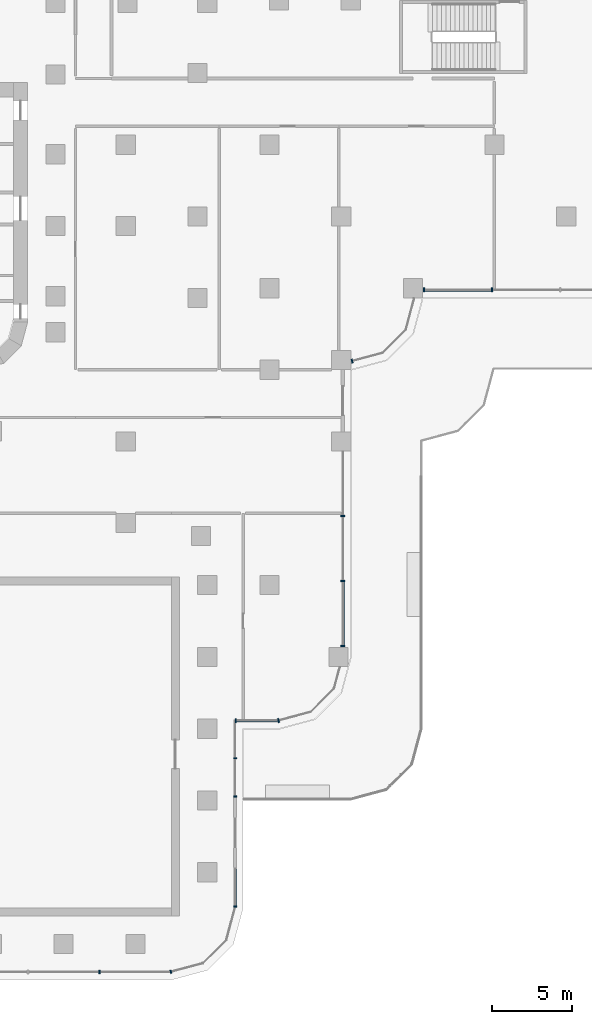
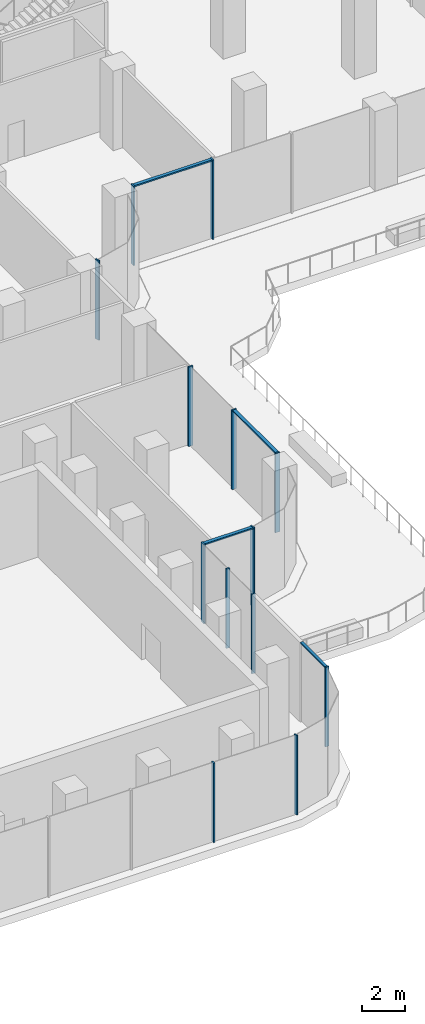
# One storey, part 4 of 30: 17 members, 8 elements without a shape of their own.
"""IFC4 building model written with IfcOpenShell, lengths in metres."""

from ifc_helpers import new_model, si_unit, direction, frame, origin, place, context, subcontext, project, spatial, polyline, outline, extrude, source, transform, mapped, material, type_object, element, aggregate, save


model = new_model("IFC4")

# Units and contexts
model_context = context("Model", 3, precision=1e-05, world=origin(), true_north=direction((0.0, 1.0)))
body_context = subcontext(model_context, "Body", "Model", "MODEL_VIEW")
ifc_project = project(units=[si_unit("LENGTHUNIT", "METRE"), si_unit("AREAUNIT", "SQUARE_METRE"), si_unit("VOLUMEUNIT", "CUBIC_METRE"), si_unit("PLANEANGLEUNIT", "RADIAN"), si_unit("MASSUNIT", "GRAM", prefix="KILO")], contexts=[model_context])

# Site, building, storey
site_placement = place(None, origin())
site = spatial("IfcSite", under=ifc_project, at=site_placement, CompositionType="ELEMENT")
building_placement = place(site_placement, origin())
building = spatial("IfcBuilding", under=site, at=building_placement, Name="Zarbagh Exchange Tower", CompositionType="ELEMENT")
storey_placement = place(building_placement, frame((0.0, 0.0, 7.0)))
storey = spatial("IfcBuildingStorey", under=building, at=storey_placement, Name="L01", CompositionType="ELEMENT", Elevation=7.0)

# Curtain wall, member
ifc_material_1 = material(Name="Anodised aluminium frame and glazing", Category="aluminium")
curtain_wall_type_1 = type_object("IfcCurtainWallType", Name="CWD Exchange hall wall glazing", PredefinedType="NOTDEFINED", material=ifc_material_1)
curtain_wall_1_placement = place(storey_placement, origin())
curtain_wall_1 = element("IfcCurtainWall", 1, at=curtain_wall_1_placement, inside=storey, type_object=curtain_wall_type_1, Name="CWD01 curtain wall", PredefinedType="NOTDEFINED")
ifc_material_2 = material(Name="Anodised aluminium frame", Category="aluminium")
member_type_1 = type_object("IfcMemberType", Name="MUD Mullion, anodised aluminium frame", PredefinedType="MULLION", material=ifc_material_2)
shared_shape_1 = source(origin(), body_context, "Body", "SweptSolid", [
    extrude(outline(polyline([(0.0, -0.10009765625), (0.080078125, -0.10009765625), (0.080078125, 0.10009765625), (0.0, 0.10009765625), (0.0, -0.10009765625)])), origin(), (0.0, 0.0, 1.0), 4.550048828125),
])
placement = place(storey_placement, origin())
member_1 = element("IfcMember", 2, at=placement, type_object=member_type_1, Name="CWD01 mullion 1.1", PredefinedType="MULLION", context=body_context, shape_type="MappedRepresentation", body=[
    mapped(shared_shape_1, transform((13.43408203125, -67.0, 0.0), x_axis=(0.965924289636, 0.258824779902, 0.0), y_axis=(-0.258824779902, 0.965924289636, 0.0), z_axis=(0.0, 0.0, 1.0))),
])
aggregate(curtain_wall_1, [member_1])

# Curtain wall, members
curtain_wall_2_placement = place(storey_placement, origin())
curtain_wall_2 = element("IfcCurtainWall", 3, at=curtain_wall_2_placement, inside=storey, type_object=curtain_wall_type_1, Name="CWD10 curtain wall", PredefinedType="NOTDEFINED")
member_2 = element("IfcMember", 4, at=placement, type_object=member_type_1, Name="CWD10 mullion 1.1", PredefinedType="MULLION", context=body_context, shape_type="MappedRepresentation", body=[
    mapped(shared_shape_1, transform((17.5, -62.93408203125, 0.0), x_axis=(0.0, 1.0, 0.0), y_axis=(-1.0, 0.0, 0.0), z_axis=(0.0, 0.0, 1.0))),
])
member_3 = element("IfcMember", 5, at=placement, type_object=member_type_1, Name="CWD10 mullion 2.1", PredefinedType="MULLION", context=body_context, shape_type="MappedRepresentation", body=[
    mapped(shared_shape_1, transform((17.5, -56.0419921875, 0.0), x_axis=(0.0, 1.0, 0.0), y_axis=(-1.0, 0.0, 0.0), z_axis=(0.0, 0.0, 1.0))),
])
member_4 = element("IfcMember", 6, at=placement, type_object=member_type_1, Name="CWD10 mullion 2.2", PredefinedType="MULLION", context=body_context, shape_type="MappedRepresentation", body=[
    mapped(shared_shape_1, transform((17.5, -53.64599609375, 0.0), x_axis=(0.0, 1.0, 0.0), y_axis=(-1.0, 0.0, 0.0), z_axis=(0.0, 0.0, 1.0))),
])

# Curtain wall, member
curtain_wall_3_placement = place(storey_placement, origin())
curtain_wall_3 = element("IfcCurtainWall", 7, at=curtain_wall_3_placement, inside=storey, type_object=curtain_wall_type_1, Name="CWD09 curtain wall", PredefinedType="NOTDEFINED")
member_5 = element("IfcMember", 8, at=placement, type_object=member_type_1, Name="CWD09 mullion 1.6", PredefinedType="MULLION", context=body_context, shape_type="MappedRepresentation", body=[
    mapped(shared_shape_1, transform((8.9560546875, -67.0, 0.0), x_axis=(1.0, 0.0, 0.0), y_axis=(0.0, 1.0, 0.0), z_axis=(0.0, 0.0, 1.0))),
])
aggregate(curtain_wall_3, [member_5])

# Member
member_type_2 = type_object("IfcMemberType", Name="TRD Transom, anodised aluminium frame", PredefinedType="USERDEFINED", material=ifc_material_2)
shared_shape_2 = source(origin(), body_context, "Body", "SweptSolid", [
    extrude(outline(polyline([(-0.080078125, -0.074951171875), (0.0, -0.074951171875), (0.0, 0.074951171875), (-0.080078125, 0.074951171875), (-0.080078125, -0.074951171875)])), origin(), (0.0, 0.0, 1.0), 2.31201171875),
])
member_6 = element("IfcMember", 9, at=placement, type_object=member_type_2, Name="CWD10 transom 1.1", ObjectType="TRANSOM", PredefinedType="USERDEFINED", context=body_context, shape_type="MappedRepresentation", body=[
    mapped(shared_shape_2, transform((17.5, -62.854248046875, 4.550048828125), x_axis=(0.0, 0.0, 1.0), y_axis=(1.0, 0.0, 0.0), z_axis=(0.0, 1.0, 0.0))),
])

aggregate(curtain_wall_2, [member_2, member_6, member_3, member_4])

# Curtain wall, member
curtain_wall_type_2 = type_object("IfcCurtainWallType", Name="CWC Podium garden-wall glazing", PredefinedType="NOTDEFINED", material=ifc_material_1)
curtain_wall_4_placement = place(storey_placement, origin())
curtain_wall_4 = element("IfcCurtainWall", 10, at=curtain_wall_4_placement, inside=storey, type_object=curtain_wall_type_2, Name="CWC50 curtain wall", PredefinedType="NOTDEFINED")
member_type_3 = type_object("IfcMemberType", Name="MUC Mullion, anodised aluminium frame", PredefinedType="MULLION", material=ifc_material_2)
shared_shape_3 = source(origin(), body_context, "Body", "SweptSolid", [
    extrude(outline(polyline([(0.0, -0.125), (0.080078125, -0.125), (0.080078125, 0.125), (0.0, 0.125), (0.0, -0.125)])), origin(), (0.0, 0.0, 1.0), 4.550048828125),
])
member_7 = element("IfcMember", 11, at=placement, type_object=member_type_3, Name="CWC50 mullion 1.1", PredefinedType="MULLION", context=body_context, shape_type="MappedRepresentation", body=[
    mapped(shared_shape_3, transform((17.5, -51.25, 0.0), x_axis=(1.0, 0.0, 0.0), y_axis=(0.0, 1.0, 0.0), z_axis=(0.0, 0.0, 1.0))),
])

curtain_wall_5_placement = place(storey_placement, origin())
curtain_wall_5 = element("IfcCurtainWall", 12, at=curtain_wall_5_placement, inside=storey, type_object=curtain_wall_type_2, Name="CWC51 curtain wall", PredefinedType="NOTDEFINED")
member_8 = element("IfcMember", 13, at=placement, type_object=member_type_3, Name="CWC51 mullion 1.1", PredefinedType="MULLION", context=body_context, shape_type="MappedRepresentation", body=[
    mapped(shared_shape_3, transform((20.18408203125, -51.25, 0.0), x_axis=(0.965924289636, 0.258824779902, 0.0), y_axis=(-0.258824779902, 0.965924289636, 0.0), z_axis=(0.0, 0.0, 1.0))),
])
aggregate(curtain_wall_5, [member_8])

# Curtain wall, members
curtain_wall_6_placement = place(storey_placement, origin())
curtain_wall_6 = element("IfcCurtainWall", 14, at=curtain_wall_6_placement, inside=storey, type_object=curtain_wall_type_2, Name="CWC54 curtain wall", PredefinedType="NOTDEFINED")
member_9 = element("IfcMember", 15, at=placement, type_object=member_type_3, Name="CWC54 mullion 1.1", PredefinedType="MULLION", context=body_context, shape_type="MappedRepresentation", body=[
    mapped(shared_shape_3, transform((24.25, -46.60986328125, 0.0), x_axis=(0.0, 1.0, 0.0), y_axis=(-1.0, 0.0, 0.0), z_axis=(0.0, 0.0, 1.0))),
])
member_10 = element("IfcMember", 16, at=placement, type_object=member_type_3, Name="CWC54 mullion 1.2", PredefinedType="MULLION", context=body_context, shape_type="MappedRepresentation", body=[
    mapped(shared_shape_3, transform((24.25, -42.53662109375, 0.0), x_axis=(0.0, 1.0, 0.0), y_axis=(-1.0, 0.0, 0.0), z_axis=(0.0, 0.0, 1.0))),
])
member_11 = element("IfcMember", 17, at=placement, type_object=member_type_3, Name="CWC54 mullion 1.3", PredefinedType="MULLION", context=body_context, shape_type="MappedRepresentation", body=[
    mapped(shared_shape_3, transform((24.25, -38.46337890625, 0.0), x_axis=(0.0, 1.0, 0.0), y_axis=(-1.0, 0.0, 0.0), z_axis=(0.0, 0.0, 1.0))),
])

# Curtain wall, member
curtain_wall_7_placement = place(storey_placement, origin())
curtain_wall_7 = element("IfcCurtainWall", 18, at=curtain_wall_7_placement, inside=storey, type_object=curtain_wall_type_2, Name="CWC55 curtain wall", PredefinedType="NOTDEFINED")
member_12 = element("IfcMember", 19, at=placement, type_object=member_type_3, Name="CWC55 mullion 1.1", PredefinedType="MULLION", context=body_context, shape_type="MappedRepresentation", body=[
    mapped(shared_shape_3, transform((24.7900390625, -28.7216796875, 0.0), x_axis=(0.965924289636, 0.258824779902, 0.0), y_axis=(-0.258824779902, 0.965924289636, 0.0), z_axis=(0.0, 0.0, 1.0))),
])
aggregate(curtain_wall_7, [member_12])

# Curtain wall, members
curtain_wall_8_placement = place(storey_placement, origin())
curtain_wall_8 = element("IfcCurtainWall", 20, at=curtain_wall_8_placement, inside=storey, type_object=curtain_wall_type_2, Name="CWC58 curtain wall", PredefinedType="NOTDEFINED")
member_13 = element("IfcMember", 21, at=placement, type_object=member_type_3, Name="CWC58 mullion 1.1", PredefinedType="MULLION", context=body_context, shape_type="MappedRepresentation", body=[
    mapped(shared_shape_3, transform((29.2900390625, -24.25, 0.0), x_axis=(1.0, 0.0, 0.0), y_axis=(0.0, 1.0, 0.0), z_axis=(0.0, 0.0, 1.0))),
])
member_14 = element("IfcMember", 22, at=placement, type_object=member_type_3, Name="CWC58 mullion 1.2", PredefinedType="MULLION", context=body_context, shape_type="MappedRepresentation", body=[
    mapped(shared_shape_3, transform((33.5634765625, -24.25, 0.0), x_axis=(1.0, 0.0, 0.0), y_axis=(0.0, 1.0, 0.0), z_axis=(0.0, 0.0, 1.0))),
])

# Member
member_type_4 = type_object("IfcMemberType", Name="TRC Transom, anodised aluminium frame", PredefinedType="USERDEFINED", material=ifc_material_2)
shared_shape_4 = source(origin(), body_context, "Body", "SweptSolid", [
    extrude(outline(polyline([(-0.080078125, -0.090087890625), (0.0, -0.090087890625), (0.0, 0.090087890625), (-0.080078125, 0.090087890625), (-0.080078125, -0.090087890625)])), origin(), (0.0, 0.0, 1.0), 2.604248046875),
])
member_15 = element("IfcMember", 23, at=placement, type_object=member_type_4, Name="CWC50 transom 1.1", ObjectType="TRANSOM", PredefinedType="USERDEFINED", context=body_context, shape_type="MappedRepresentation", body=[
    mapped(shared_shape_4, transform((17.580078125, -51.25, 4.550048828125), x_axis=(0.0, 0.0, 1.0), y_axis=(0.0, -1.0, 0.0), z_axis=(1.0, 0.0, 0.0))),
])

aggregate(curtain_wall_4, [member_7, member_15])

shared_shape_5 = source(origin(), body_context, "Body", "SweptSolid", [
    extrude(outline(polyline([(-0.080078125, -0.090087890625), (0.0, -0.090087890625), (0.0, 0.090087890625), (-0.080078125, 0.090087890625), (-0.080078125, -0.090087890625)])), origin(), (0.0, 0.0, 1.0), 3.993408203125),
])
member_16 = element("IfcMember", 24, at=placement, type_object=member_type_4, Name="CWC54 transom 1.1", ObjectType="TRANSOM", PredefinedType="USERDEFINED", context=body_context, shape_type="MappedRepresentation", body=[
    mapped(shared_shape_5, transform((24.25, -46.530029296875, 4.550048828125), x_axis=(0.0, 0.0, 1.0), y_axis=(1.0, 0.0, 0.0), z_axis=(0.0, 1.0, 0.0))),
])

aggregate(curtain_wall_6, [member_9, member_16, member_10, member_11])

shared_shape_6 = source(origin(), body_context, "Body", "SweptSolid", [
    extrude(outline(polyline([(-0.080078125, -0.090087890625), (0.0, -0.090087890625), (0.0, 0.090087890625), (-0.080078125, 0.090087890625), (-0.080078125, -0.090087890625)])), origin(), (0.0, 0.0, 1.0), 4.193359375),
])
member_17 = element("IfcMember", 25, at=placement, type_object=member_type_4, Name="CWC58 transom 1.1", ObjectType="TRANSOM", PredefinedType="USERDEFINED", context=body_context, shape_type="MappedRepresentation", body=[
    mapped(shared_shape_6, transform((29.3701171875, -24.25, 4.550048828125), x_axis=(0.0, 0.0, 1.0), y_axis=(0.0, -1.0, 0.0), z_axis=(1.0, 0.0, 0.0))),
])

aggregate(curtain_wall_8, [member_13, member_17, member_14])

save(model, "model.ifc")
